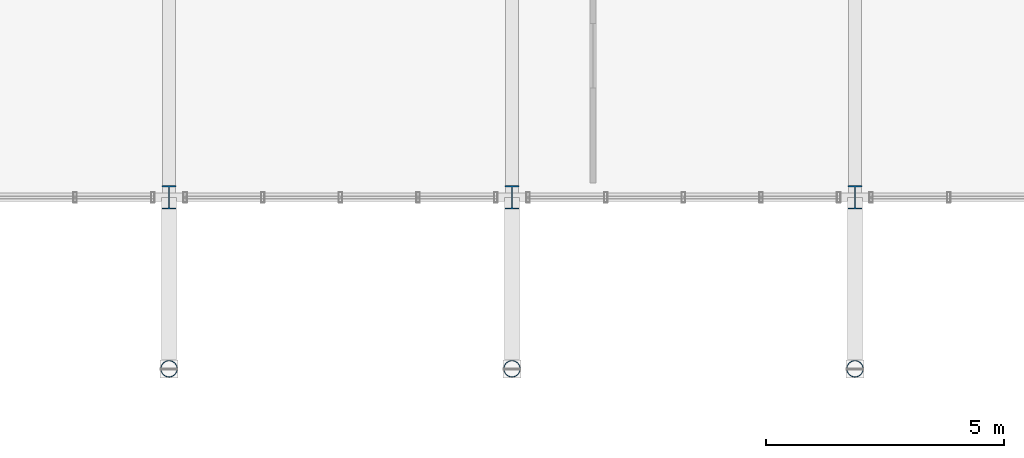
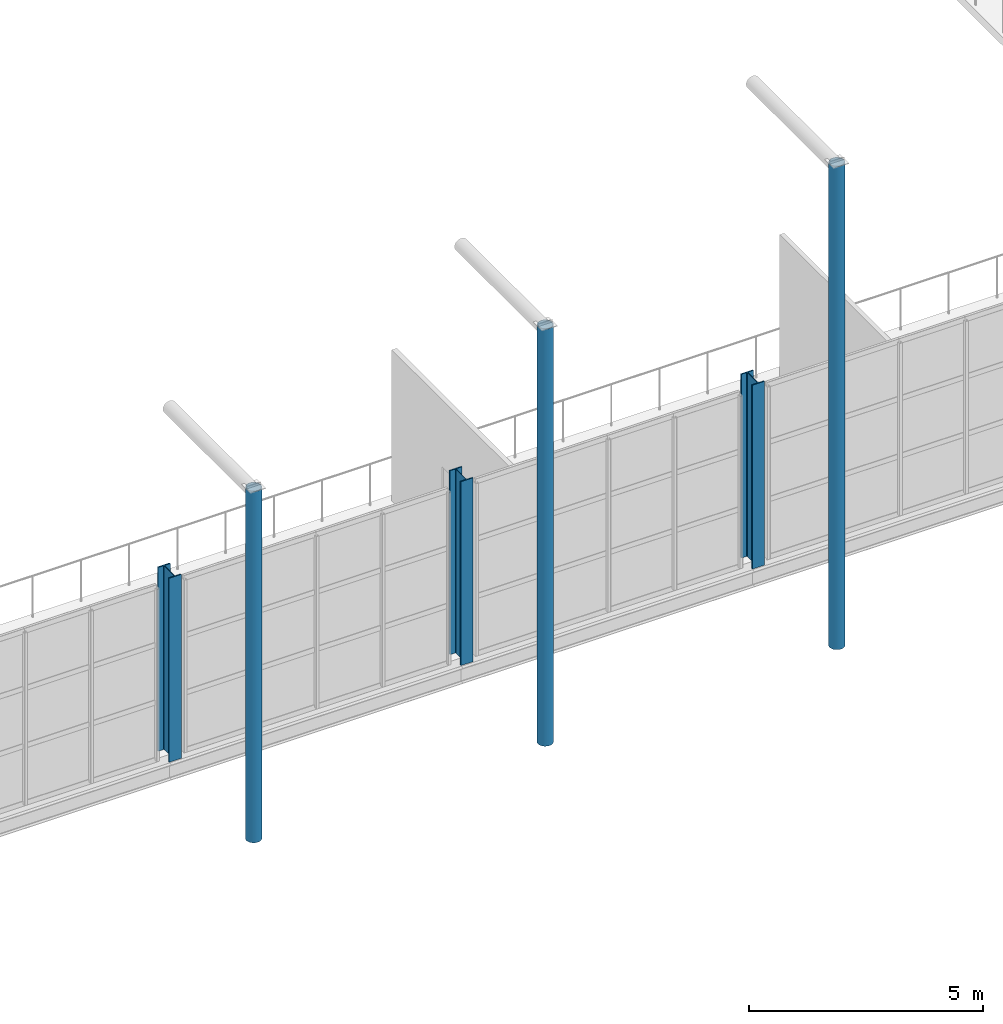
# One storey, part 2 of 143: 6 columns.
"""IFC4 building model written with IfcOpenShell, lengths in metres."""

import ifcopenshell
import ifcopenshell.guid

model = None  # the IFC model being written
_history = None  # IfcOwnerHistory: only IFC2X3 demands one
_inside = {}  # id of a spatial element -> (the spatial element, [elements in it])
_under = {}  # id of a project, library or spatial element -> (it, [spatial elements below it])
_declared = {}  # id of a project -> (the project, [libraries it declares])
_typed = {}  # id of a type object -> (the type object, [elements of that type])
_made_of = {}  # id of a material, layer set ... -> (it, [elements and type objects made of it])


def new_model(schema):
    """Start an empty IFC model of exactly this schema.

    Asked for "IFC4X3", IfcOpenShell would pick the latest addendum, in which some entities
    have other attributes; the version numbers below select the first issue.
    IFC2X3 requires an IfcOwnerHistory on every rooted entity: one is made here for all.
    """
    global model, _history
    if schema == "IFC4X3":
        model = ifcopenshell.file(schema_version=(4, 3, 0, 0))
    else:
        model = ifcopenshell.file(schema=schema)
    _inside.clear()
    _under.clear()
    _declared.clear()
    _typed.clear()
    _made_of.clear()
    _history = None
    if model.schema == "IFC2X3":
        org = make("IfcOrganization", Name="unknown")
        user = make(
            "IfcPersonAndOrganization",
            ThePerson=make("IfcPerson", FamilyName="unknown"),
            TheOrganization=org,
        )
        app = make(
            "IfcApplication",
            ApplicationDeveloper=org,
            Version="unknown",
            ApplicationFullName="unknown",
            ApplicationIdentifier="unknown",
        )
        _history = make(
            "IfcOwnerHistory",
            OwningUser=user,
            OwningApplication=app,
            ChangeAction="ADDED",
            CreationDate=0,
        )
    return model


def make(cls, **values):
    """One entity of the class cls with the attributes given. An attribute that is None is left unset."""
    return model.create_entity(
        cls, **{name: value for name, value in values.items() if value is not None}
    )


def rooted(cls, **values):
    """An entity with a GlobalId (a new one), such as an element, a storey or a relation."""
    return make(cls, GlobalId=ifcopenshell.guid.new(), OwnerHistory=_history, **values)


def si_unit(unit_type, name, prefix=None):
    """IfcSIUnit, for example si_unit("LENGTHUNIT", "METRE", prefix="MILLI")."""
    return make("IfcSIUnit", UnitType=unit_type, Prefix=prefix, Name=name)


def derived_unit(unit_type, elements):
    """IfcDerivedUnit: a product of units, each with its exponent."""
    return make(
        "IfcDerivedUnit",
        Elements=[
            make("IfcDerivedUnitElement", Unit=unit, Exponent=power)
            for unit, power in elements
        ],
        UnitType=unit_type,
    )


def assignment(units):
    """IfcUnitAssignment: the units of a project."""
    return None if units is None else make("IfcUnitAssignment", Units=units)


def point(xyz):
    """IfcCartesianPoint."""
    return None if xyz is None else make("IfcCartesianPoint", Coordinates=xyz)


def direction(xyz):
    """IfcDirection."""
    return None if xyz is None else make("IfcDirection", DirectionRatios=xyz)


def frame(location, z_axis=None, x_axis=None):
    """IfcAxis2Placement3D, a coordinate frame: its origin and axes. An axis left out is left unset."""
    return make(
        "IfcAxis2Placement3D",
        Location=point(location),
        Axis=direction(z_axis),
        RefDirection=direction(x_axis),
    )


def frame_2d(location, x_axis=None):
    """IfcAxis2Placement2D, a coordinate frame in the plane: its origin and x axis."""
    return make(
        "IfcAxis2Placement2D", Location=point(location), RefDirection=direction(x_axis)
    )


def origin():
    """The frame at (0, 0, 0) with its axes left unset."""
    return frame((0.0, 0.0, 0.0))


def origin_2d():
    """The frame at (0, 0) in the plane with its x axis left unset."""
    return frame_2d((0.0, 0.0))


def place(relative_to, where):
    """IfcLocalPlacement: puts the frame where relative to a parent placement (None: the world)."""
    return make(
        "IfcLocalPlacement", PlacementRelTo=relative_to, RelativePlacement=where
    )


def context(
    kind, dimensions, precision=None, world=None, true_north=None, identifier=None
):
    """IfcGeometricRepresentationContext, for example the 3D "Model" context."""
    return make(
        "IfcGeometricRepresentationContext",
        ContextIdentifier=identifier,
        ContextType=kind,
        CoordinateSpaceDimension=dimensions,
        Precision=precision,
        WorldCoordinateSystem=world,
        TrueNorth=true_north,
    )


def subcontext(parent, identifier, kind, view, scale=None):
    """IfcGeometricRepresentationSubContext, for example "Body" below "Model"."""
    return make(
        "IfcGeometricRepresentationSubContext",
        ContextIdentifier=identifier,
        ContextType=kind,
        ParentContext=parent,
        TargetScale=scale,
        TargetView=view,
    )


def project(units=None, contexts=None):
    """IfcProject with its units and contexts."""
    return rooted(
        "IfcProject",
        Name="project",
        RepresentationContexts=contexts,
        UnitsInContext=assignment(units),
    )


def spatial(cls, under=None, at=None, **own):
    """A site, building, storey or space (cls), placed at a placement, below another one or the project."""
    s = rooted(cls, ObjectPlacement=at, **own)
    if under is not None:
        _under.setdefault(under.id(), (under, []))[1].append(s)
    return s


def profile(cls, at=None, kind="AREA", **sizes):
    """A parametric profile (cls). Its sizes go by their IFC names, for example OverallWidth=200.0."""
    return make(cls, ProfileType=kind, Position=at, **sizes)


def hollow_circle(**sizes):
    """IfcCircleHollowProfileDef."""
    return profile("IfcCircleHollowProfileDef", **sizes)


def i_section(**sizes):
    """IfcIShapeProfileDef."""
    return profile("IfcIShapeProfileDef", **sizes)


def extrude(swept, where, along, depth):
    """IfcExtrudedAreaSolid: the profile swept, set in the frame where, extruded along a direction by depth."""
    return make(
        "IfcExtrudedAreaSolid",
        SweptArea=swept,
        Position=where,
        ExtrudedDirection=direction(along),
        Depth=depth,
    )


def shape(context_of_items, identifier, shape_type, items):
    """IfcShapeRepresentation: the items that make up one representation, for example the "Body"."""
    return make(
        "IfcShapeRepresentation",
        ContextOfItems=context_of_items,
        RepresentationIdentifier=identifier,
        RepresentationType=shape_type,
        Items=items,
    )


def material(Name=None, Category=None):
    """IfcMaterial."""
    return make("IfcMaterial", Name=Name, Category=Category)


def material_profile(
    of_material, cross_section, Name=None, Category=None, Priority=None
):
    """IfcMaterialProfile: a cross section and its material."""
    return make(
        "IfcMaterialProfile",
        Name=Name,
        Material=of_material,
        Profile=cross_section,
        Priority=Priority,
        Category=Category,
    )


def profile_set(profiles, Name=None, composite=None):
    """IfcMaterialProfileSet."""
    return make(
        "IfcMaterialProfileSet",
        Name=Name,
        MaterialProfiles=profiles,
        CompositeProfile=composite,
    )


def made_of(thing, what):
    """Note that an element or type object is made of a material, layer set ...; save() writes the relation."""
    if what is not None:
        _made_of.setdefault(what.id(), (what, []))[1].append(thing)
    return thing


def type_object(cls, material=None, **own):
    """A type object (cls), such as IfcWallType, which elements share."""
    return made_of(rooted(cls, **own), material)


def element(
    cls,
    number,
    at=None,
    inside=None,
    cuts=None,
    type_object=None,
    material=None,
    context=None,
    identifier="Body",
    shape_type=None,
    held_by="IfcProductDefinitionShape",
    body=None,
    shapes=None,
    **own,
):
    """One element of the class cls, such as IfcWall. Its Tag is "e" and its number.

    at: its placement. inside: the storey or other place that contains it. cuts: it is an
    opening in that element (IfcRelVoidsElement). A single representation is given by context,
    identifier, shape_type and body (its items); several are given by shapes. held_by: the class
    of the entity that holds the representations. save() writes the other relations.
    """
    e = rooted(cls, Tag="e%d" % number, ObjectPlacement=at, **own)
    if body is not None:
        shapes = [shape(context, identifier, shape_type, body)]
    if shapes is not None:
        e.Representation = make(held_by, Representations=shapes)
    if inside is not None:
        _inside.setdefault(inside.id(), (inside, []))[1].append(e)
    if cuts is not None:
        rooted(
            "IfcRelVoidsElement", RelatingBuildingElement=cuts, RelatedOpeningElement=e
        )
    if type_object is not None:
        _typed.setdefault(type_object.id(), (type_object, []))[1].append(e)
    return made_of(e, material)


def aggregate(whole, parts):
    """IfcRelAggregates: a whole, such as a stair, and the parts it consists of."""
    return rooted("IfcRelAggregates", RelatingObject=whole, RelatedObjects=parts)


def save(model, path):
    """Write the relations noted so far, then the file.

    IfcRelAggregates (storeys below a building ...), IfcRelContainedInSpatialStructure (elements
    in a storey), IfcRelDefinesByType, IfcRelAssociatesMaterial and IfcRelDeclares: one each for
    every whole, place, type object, material and project.
    """
    for whole, parts in _under.values():
        aggregate(whole, parts)
    for where, things in _inside.values():
        rooted(
            "IfcRelContainedInSpatialStructure",
            RelatedElements=things,
            RelatingStructure=where,
        )
    for kind, things in _typed.values():
        rooted("IfcRelDefinesByType", RelatedObjects=things, RelatingType=kind)
    for what, things in _made_of.values():
        rooted("IfcRelAssociatesMaterial", RelatedObjects=things, RelatingMaterial=what)
    for by, libraries in _declared.values():
        rooted("IfcRelDeclares", RelatingContext=by, RelatedDefinitions=libraries)
    model.write(path)


model = new_model("IFC4")

# Units and contexts
model_context = context("Model", 3, precision=1e-05, world=origin(), true_north=direction((0.0, 1.0)))
body_context = subcontext(model_context, "Body", "Model", "MODEL_VIEW")
ifc_project = project(units=[si_unit("LENGTHUNIT", "METRE"), si_unit("AREAUNIT", "SQUARE_METRE"), si_unit("VOLUMEUNIT", "CUBIC_METRE"), si_unit("PLANEANGLEUNIT", "RADIAN"), si_unit("MASSUNIT", "GRAM", prefix="KILO"), derived_unit("THERMALTRANSMITTANCEUNIT", [(si_unit("POWERUNIT", "WATT"), 1), (si_unit("LENGTHUNIT", "METRE"), -2), (si_unit("THERMODYNAMICTEMPERATUREUNIT", "KELVIN"), -1)])], contexts=[model_context])

# Site, building, storey
site_placement = place(None, origin())
site = spatial("IfcSite", under=ifc_project, at=site_placement, CompositionType="ELEMENT")
building_placement = place(site_placement, origin())
building = spatial("IfcBuilding", under=site, at=building_placement, Name="Keldorne Ridge Multi-Sports Centre", CompositionType="ELEMENT")
storey_placement = place(building_placement, frame((0.0, 0.0, 4.800048828125)))
storey = spatial("IfcBuildingStorey", under=building, at=storey_placement, Name="L01", CompositionType="ELEMENT", Elevation=4.800048828125)

# Columns
ifc_material = material(Name="Steel S355", Category="steel")
ifc_material_profile_1 = material_profile(ifc_material, hollow_circle(Radius=0.177734375, WallThickness=0.01611328125, at=origin_2d()), Name="CHS 355.6x16")
ifc_profile_set_1 = profile_set([ifc_material_profile_1], Name="Steel S355")
column_type_1 = type_object("IfcColumnType", Name="COL-C-03", PredefinedType="PILASTER", material=ifc_profile_set_1)
column_1_placement = place(storey_placement, frame((49.199951171875, 6.0, 0.0), z_axis=(0.0, 0.0, 1.0), x_axis=(1.0, 0.0, 0.0)))
element("IfcColumn", 1, at=column_1_placement, inside=storey, type_object=column_type_1, Name="Structural column V1-COLN-07 on L01", PredefinedType="PILASTER", context=body_context, shape_type="SweptSolid", body=[
    extrude(hollow_circle(Radius=0.177734375, WallThickness=0.01611328125, at=origin_2d()), origin(), (0.0, 0.0, 1.0), 9.169921875),
])
column_2_placement = place(storey_placement, frame((56.39990234375, 6.0, 0.0), z_axis=(0.0, 0.0, 1.0), x_axis=(1.0, 0.0, 0.0)))
element("IfcColumn", 2, at=column_2_placement, inside=storey, type_object=column_type_1, Name="Structural column V1-COLN-08 on L01", PredefinedType="PILASTER", context=body_context, shape_type="SweptSolid", body=[
    extrude(hollow_circle(Radius=0.177734375, WallThickness=0.01611328125, at=origin_2d()), origin(), (0.0, 0.0, 1.0), 10.889892578125),
])
column_3_placement = place(storey_placement, frame((63.60009765625, 6.0, 0.0), z_axis=(0.0, 0.0, 1.0), x_axis=(1.0, 0.0, 0.0)))
element("IfcColumn", 3, at=column_3_placement, inside=storey, type_object=column_type_1, Name="Structural column V1-COLN-09 on L01", PredefinedType="PILASTER", context=body_context, shape_type="SweptSolid", body=[
    extrude(hollow_circle(Radius=0.177734375, WallThickness=0.01611328125, at=origin_2d()), origin(), (0.0, 0.0, 1.0), 12.60986328125),
])
ifc_material_profile_2 = material_profile(ifc_material, i_section(OverallWidth=0.300048828125, OverallDepth=0.5, WebThickness=0.014404296875, FlangeThickness=0.028076171875, FilletRadius=0.027099609375, at=origin_2d()), Name="HEB 500")
ifc_profile_set_2 = profile_set([ifc_material_profile_2], Name="Steel S355")
column_type_2 = type_object("IfcColumnType", Name="COL-C-05", PredefinedType="COLUMN", material=ifc_profile_set_2)
for number, where, z_axis, x_axis, name in (
    (4, (49.199951171875, 9.60009765625, 0.0), (0.0, 0.0, 1.0), (1.0, 0.0, 0.0), "Structural column V1-HALL-S-07 on L01"),
    (5, (56.39990234375, 9.60009765625, 0.0), (0.0, 0.0, 1.0), (1.0, 0.0, 0.0), "Structural column V1-HALL-S-08 on L01"),
    (6, (63.60009765625, 9.60009765625, 0.0), (0.0, 0.0, 1.0), (1.0, 0.0, 0.0), "Structural column V1-HALL-S-09 on L01"),
):
    element("IfcColumn", number, at=place(storey_placement, frame(where, z_axis=z_axis, x_axis=x_axis)), inside=storey, type_object=column_type_2, Name=name, PredefinedType="COLUMN", context=body_context, shape_type="SweptSolid", body=[
        extrude(i_section(OverallWidth=0.300048828125, OverallDepth=0.5, WebThickness=0.014404296875, FlangeThickness=0.028076171875, FilletRadius=0.027099609375, at=origin_2d()), origin(), (0.0, 0.0, 1.0), 4.800048828125),
    ])

save(model, "model.ifc")
